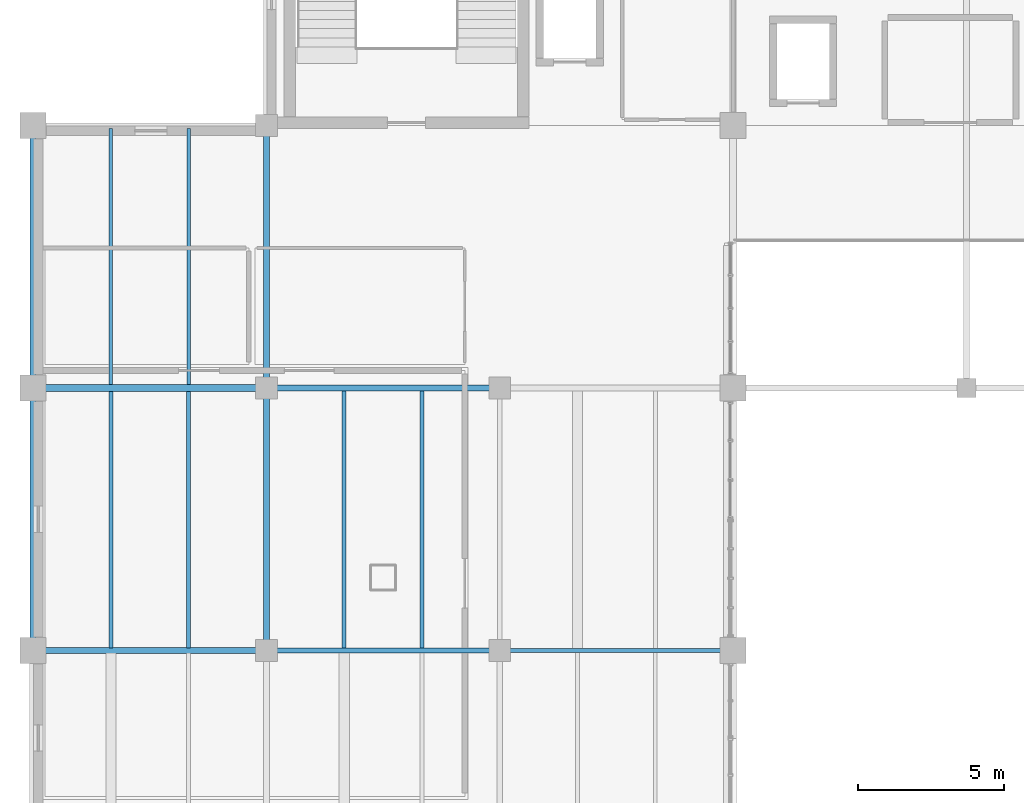
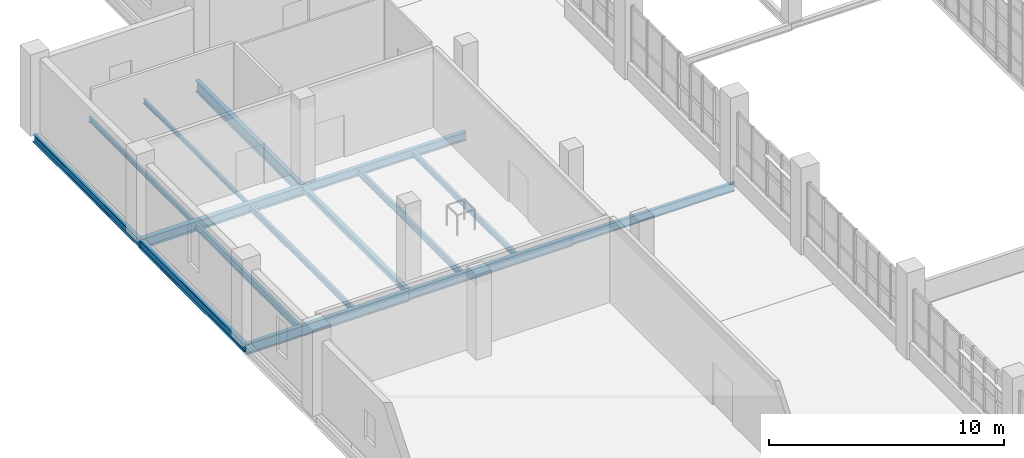
# One storey, part 21 of 85: 15 beams.
"""IFC4 building model written with IfcOpenShell, lengths in metres."""

from ifc_helpers import new_model, si_unit, derived_unit, direction, frame, origin, origin_2d, place, context, subcontext, project, spatial, i_section, extrude, material, material_profile, profile_set, type_object, element, save


model = new_model("IFC4")

# Units and contexts
model_context = context("Model", 3, precision=1e-05, world=origin(), true_north=direction((0.0, 1.0)))
body_context = subcontext(model_context, "Body", "Model", "MODEL_VIEW")
ifc_project = project(units=[si_unit("LENGTHUNIT", "METRE"), si_unit("AREAUNIT", "SQUARE_METRE"), si_unit("VOLUMEUNIT", "CUBIC_METRE"), si_unit("PLANEANGLEUNIT", "RADIAN"), si_unit("MASSUNIT", "GRAM", prefix="KILO"), derived_unit("THERMALTRANSMITTANCEUNIT", [(si_unit("POWERUNIT", "WATT"), 1), (si_unit("LENGTHUNIT", "METRE"), -2), (si_unit("THERMODYNAMICTEMPERATUREUNIT", "KELVIN"), -1)])], contexts=[model_context])

# Site, building, storey
site_placement = place(None, origin())
site = spatial("IfcSite", under=ifc_project, at=site_placement, CompositionType="ELEMENT")
building_placement = place(site_placement, origin())
building = spatial("IfcBuilding", under=site, at=building_placement, Name="Nallur Shell Playhouse", CompositionType="ELEMENT")
storey_placement = place(building_placement, frame((0.0, 0.0, 19.800048828125)))
storey = spatial("IfcBuildingStorey", under=building, at=storey_placement, Name="L05", CompositionType="ELEMENT", Elevation=19.800048828125)

# Beams
ifc_material_1 = material(Name="Steel E250", Category="steel")
ifc_material_profile_1 = material_profile(ifc_material_1, i_section(OverallWidth=0.110107421875, OverallDepth=0.22509765625, WebThickness=0.006591796875, FlangeThickness=0.01171875, FilletRadius=0.011962890625, at=origin_2d()), Name="ISMB 225")
ifc_profile_set_1 = profile_set([ifc_material_profile_1], Name="Steel E250")
beam_type_1 = type_object("IfcBeamType", Name="BM-JST-ISMB225", PredefinedType="JOIST", material=ifc_profile_set_1)
beam_1_placement = place(storey_placement, frame((21.333251953125, 65.123046875, -0.362548828125), z_axis=(0.0, 1.0, 0.0), x_axis=(-1.0, 0.0, 0.0)))
element("IfcBeam", 1, at=beam_1_placement, inside=storey, type_object=beam_type_1, Name="L05 secondary joist 2-H-1061", PredefinedType="JOIST", context=body_context, shape_type="SweptSolid", body=[
    extrude(i_section(OverallWidth=0.110107421875, OverallDepth=0.22509765625, WebThickness=0.006591796875, FlangeThickness=0.01171875, FilletRadius=0.011962890625, at=origin_2d()), origin(), (0.0, 0.0, 1.0), 8.783935546875),
])
ifc_material_profile_2 = material_profile(ifc_material_1, i_section(OverallWidth=0.125, OverallDepth=0.25, WebThickness=0.0068359375, FlangeThickness=0.012451171875, FilletRadius=0.012939453125, at=origin_2d()), Name="ISMB 250")
ifc_profile_set_2 = profile_set([ifc_material_profile_2], Name="Steel E250")
beam_type_2 = type_object("IfcBeamType", Name="BM-JST-ISMB250", PredefinedType="JOIST", material=ifc_profile_set_2)
beam_2_placement = place(storey_placement, frame((18.666748046875, 65.123046875, -0.375), z_axis=(0.0, 1.0, 0.0), x_axis=(-1.0, 0.0, 0.0)))
element("IfcBeam", 2, at=beam_2_placement, inside=storey, type_object=beam_type_2, Name="L05 secondary joist 2-H-1060", PredefinedType="JOIST", context=body_context, shape_type="SweptSolid", body=[
    extrude(i_section(OverallWidth=0.125, OverallDepth=0.25, WebThickness=0.0068359375, FlangeThickness=0.012451171875, FilletRadius=0.012939453125, at=origin_2d()), origin(), (0.0, 0.0, 1.0), 8.783935546875),
])
ifc_material_profile_3 = material_profile(ifc_material_1, i_section(OverallWidth=0.139892578125, OverallDepth=0.300048828125, WebThickness=0.0078125, FlangeThickness=0.01318359375, FilletRadius=0.013916015625, at=origin_2d()), Name="ISMB 300")
ifc_profile_set_3 = profile_set([ifc_material_profile_3], Name="Steel E250")
beam_type_3 = type_object("IfcBeamType", Name="BM-JST-ISMB300", PredefinedType="JOIST", material=ifc_profile_set_3)
beam_3_placement = place(storey_placement, frame((21.333251953125, 56.093017578125, -0.400146484375), z_axis=(0.0, 1.0, 0.0), x_axis=(-1.0, 0.0, 0.0)))
element("IfcBeam", 3, at=beam_3_placement, inside=storey, type_object=beam_type_3, Name="L05 secondary joist 2-G-1059", PredefinedType="JOIST", context=body_context, shape_type="SweptSolid", body=[
    extrude(i_section(OverallWidth=0.139892578125, OverallDepth=0.300048828125, WebThickness=0.0078125, FlangeThickness=0.01318359375, FilletRadius=0.013916015625, at=origin_2d()), origin(), (0.0, 0.0, 1.0), 8.783935546875),
])
beam_4_placement = place(storey_placement, frame((29.333251953125, 56.087890625, -0.400146484375), z_axis=(0.0, 1.0, 0.0), x_axis=(-1.0, 0.0, 0.0)))
element("IfcBeam", 4, at=beam_4_placement, inside=storey, type_object=beam_type_3, Name="L05 secondary joist 3-G-1071", PredefinedType="JOIST", context=body_context, shape_type="SweptSolid", body=[
    extrude(i_section(OverallWidth=0.139892578125, OverallDepth=0.300048828125, WebThickness=0.0078125, FlangeThickness=0.01318359375, FilletRadius=0.013916015625, at=origin_2d()), origin(), (0.0, 0.0, 1.0), 8.814208984375),
])
ifc_material_profile_4 = material_profile(ifc_material_1, i_section(OverallWidth=0.139892578125, OverallDepth=0.35009765625, WebThickness=0.008056640625, FlangeThickness=0.01416015625, FilletRadius=0.013916015625, at=origin_2d()), Name="ISMB 350")
ifc_profile_set_4 = profile_set([ifc_material_profile_4], Name="Steel E250")
beam_type_4 = type_object("IfcBeamType", Name="BM-JST-ISMB350", PredefinedType="JOIST", material=ifc_profile_set_4)
beam_5_placement = place(storey_placement, frame((18.666748046875, 56.093017578125, -0.425048828125), z_axis=(0.0, 1.0, 0.0), x_axis=(-1.0, 0.0, 0.0)))
element("IfcBeam", 5, at=beam_5_placement, inside=storey, type_object=beam_type_4, Name="L05 secondary joist 2-G-1058", PredefinedType="JOIST", context=body_context, shape_type="SweptSolid", body=[
    extrude(i_section(OverallWidth=0.139892578125, OverallDepth=0.35009765625, WebThickness=0.008056640625, FlangeThickness=0.01416015625, FilletRadius=0.013916015625, at=origin_2d()), origin(), (0.0, 0.0, 1.0), 8.783935546875),
])
beam_6_placement = place(storey_placement, frame((26.666748046875, 56.087890625, -0.425048828125), z_axis=(0.0, 1.0, 0.0), x_axis=(-1.0, 0.0, 0.0)))
element("IfcBeam", 6, at=beam_6_placement, inside=storey, type_object=beam_type_4, Name="L05 secondary joist 3-G-1070", PredefinedType="JOIST", context=body_context, shape_type="SweptSolid", body=[
    extrude(i_section(OverallWidth=0.139892578125, OverallDepth=0.35009765625, WebThickness=0.008056640625, FlangeThickness=0.01416015625, FilletRadius=0.013916015625, at=origin_2d()), origin(), (0.0, 0.0, 1.0), 8.814208984375),
])
ifc_material_2 = material(Name="Steel E350", Category="steel")
ifc_material_profile_5 = material_profile(ifc_material_2, i_section(OverallWidth=0.14990234375, OverallDepth=0.449951171875, WebThickness=0.009521484375, FlangeThickness=0.017333984375, FilletRadius=0.014892578125, at=origin_2d()), Name="ISMB 450")
ifc_profile_set_5 = profile_set([ifc_material_profile_5], Name="Steel E350")
beam_type_5 = type_object("IfcBeamType", Name="BM-ST-ISMB450", PredefinedType="BEAM", material=ifc_profile_set_5)
beam_7_placement = place(storey_placement, frame((32.0, 56.0, -0.47509765625), z_axis=(1.0, 0.0, 0.0), x_axis=(0.0, 1.0, 0.0)))
element("IfcBeam", 7, at=beam_7_placement, inside=storey, type_object=beam_type_5, Name="L05 girder X-G-971", PredefinedType="BEAM", context=body_context, shape_type="SweptSolid", body=[
    extrude(i_section(OverallWidth=0.14990234375, OverallDepth=0.449951171875, WebThickness=0.009521484375, FlangeThickness=0.017333984375, FilletRadius=0.014892578125, at=origin_2d()), origin(), (0.0, 0.0, 1.0), 8.0),
])
ifc_material_profile_6 = material_profile(ifc_material_2, i_section(OverallWidth=0.179931640625, OverallDepth=0.5, WebThickness=0.01025390625, FlangeThickness=0.01708984375, FilletRadius=0.01708984375, at=origin_2d()), Name="ISMB 500")
ifc_profile_set_6 = profile_set([ifc_material_profile_6], Name="Steel E350")
beam_type_6 = type_object("IfcBeamType", Name="BM-ST-ISMB500", PredefinedType="BEAM", material=ifc_profile_set_6)
beam_8_placement = place(storey_placement, frame((24.0, 56.0, -0.5), z_axis=(1.0, 0.0, 0.0), x_axis=(0.0, 1.0, 0.0)))
element("IfcBeam", 8, at=beam_8_placement, inside=storey, type_object=beam_type_6, Name="L05 girder X-G-970", PredefinedType="BEAM", context=body_context, shape_type="SweptSolid", body=[
    extrude(i_section(OverallWidth=0.179931640625, OverallDepth=0.5, WebThickness=0.01025390625, FlangeThickness=0.01708984375, FilletRadius=0.01708984375, at=origin_2d()), origin(), (0.0, 0.0, 1.0), 8.0),
])
ifc_material_profile_7 = material_profile(ifc_material_2, i_section(OverallWidth=0.18994140625, OverallDepth=0.550048828125, WebThickness=0.01123046875, FlangeThickness=0.019287109375, FilletRadius=0.01806640625, at=origin_2d()), Name="ISMB 550")
ifc_profile_set_7 = profile_set([ifc_material_profile_7], Name="Steel E350")
beam_type_7 = type_object("IfcBeamType", Name="BM-ST-ISMB550", PredefinedType="BEAM", material=ifc_profile_set_7)
beam_9_placement = place(storey_placement, frame((16.0, 56.0, -0.525146484375), z_axis=(1.0, 0.0, 0.0), x_axis=(0.0, 1.0, 0.0)))
element("IfcBeam", 9, at=beam_9_placement, inside=storey, type_object=beam_type_7, Name="L05 girder X-G-969", PredefinedType="BEAM", context=body_context, shape_type="SweptSolid", body=[
    extrude(i_section(OverallWidth=0.18994140625, OverallDepth=0.550048828125, WebThickness=0.01123046875, FlangeThickness=0.019287109375, FilletRadius=0.01806640625, at=origin_2d()), origin(), (0.0, 0.0, 1.0), 8.0),
])
ifc_material_profile_8 = material_profile(ifc_material_2, i_section(OverallWidth=0.2099609375, OverallDepth=0.60009765625, WebThickness=0.011962890625, FlangeThickness=0.020751953125, FilletRadius=0.02001953125, at=origin_2d()), Name="ISMB 600")
ifc_profile_set_8 = profile_set([ifc_material_profile_8], Name="Steel E350")
beam_type_8 = type_object("IfcBeamType", Name="BM-ST-ISMB600", PredefinedType="BEAM", material=ifc_profile_set_8)
beam_10_placement = place(storey_placement, frame((24.0, 65.0, -0.550048828125), z_axis=(0.0, 1.0, 0.0), x_axis=(-1.0, 0.0, 0.0)))
element("IfcBeam", 10, at=beam_10_placement, inside=storey, type_object=beam_type_8, Name="L05 girder Y-3-1000", PredefinedType="BEAM", context=body_context, shape_type="SweptSolid", body=[
    extrude(i_section(OverallWidth=0.2099609375, OverallDepth=0.60009765625, WebThickness=0.011962890625, FlangeThickness=0.020751953125, FilletRadius=0.02001953125, at=origin_2d()), origin(), (0.0, 0.0, 1.0), 9.0),
])
ifc_material_profile_9 = material_profile(ifc_material_1, i_section(OverallWidth=0.199951171875, OverallDepth=0.300048828125, WebThickness=0.00732421875, FlangeThickness=0.010009765625, FilletRadius=0.010986328125, at=origin_2d()), Name="ISWB 300")
ifc_profile_set_9 = profile_set([ifc_material_profile_9], Name="Steel E250")
beam_type_9 = type_object("IfcBeamType", Name="BM-ST-ISWB300", PredefinedType="BEAM", material=ifc_profile_set_9)
beam_11_placement = place(storey_placement, frame((24.0, 56.0, -0.400146484375), z_axis=(0.0, 1.0, 0.0), x_axis=(-1.0, 0.0, 0.0)))
element("IfcBeam", 11, at=beam_11_placement, inside=storey, type_object=beam_type_9, Name="L05 girder Y-3-999", PredefinedType="BEAM", context=body_context, shape_type="SweptSolid", body=[
    extrude(i_section(OverallWidth=0.199951171875, OverallDepth=0.300048828125, WebThickness=0.00732421875, FlangeThickness=0.010009765625, FilletRadius=0.010986328125, at=origin_2d()), origin(), (0.0, 0.0, 1.0), 9.0),
])
ifc_material_profile_10 = material_profile(ifc_material_2, i_section(OverallWidth=0.199951171875, OverallDepth=0.39990234375, WebThickness=0.008544921875, FlangeThickness=0.012939453125, FilletRadius=0.012939453125, at=origin_2d()), Name="ISWB 400")
ifc_profile_set_10 = profile_set([ifc_material_profile_10], Name="Steel E350")
beam_type_10 = type_object("IfcBeamType", Name="BM-ST-ISWB400", PredefinedType="BEAM", material=ifc_profile_set_10)
beam_12_placement = place(storey_placement, frame((16.0, 65.0, -0.449951171875), z_axis=(0.0, 1.0, 0.0), x_axis=(-1.0, 0.0, 0.0)))
element("IfcBeam", 12, at=beam_12_placement, inside=storey, type_object=beam_type_10, Name="L05 girder Y-2-997", PredefinedType="BEAM", context=body_context, shape_type="SweptSolid", body=[
    extrude(i_section(OverallWidth=0.199951171875, OverallDepth=0.39990234375, WebThickness=0.008544921875, FlangeThickness=0.012939453125, FilletRadius=0.012939453125, at=origin_2d()), origin(), (0.0, 0.0, 1.0), 9.0),
])
ifc_material_profile_11 = material_profile(ifc_material_2, i_section(OverallWidth=0.199951171875, OverallDepth=0.449951171875, WebThickness=0.00927734375, FlangeThickness=0.015380859375, FilletRadius=0.013916015625, at=origin_2d()), Name="ISWB 450")
ifc_profile_set_11 = profile_set([ifc_material_profile_11], Name="Steel E350")
beam_type_11 = type_object("IfcBeamType", Name="BM-ST-ISWB450", PredefinedType="BEAM", material=ifc_profile_set_11)
beam_13_placement = place(storey_placement, frame((24.0, 65.0, -0.47509765625), z_axis=(1.0, 0.0, 0.0), x_axis=(0.0, 1.0, 0.0)))
element("IfcBeam", 13, at=beam_13_placement, inside=storey, type_object=beam_type_11, Name="L05 girder X-H-980", PredefinedType="BEAM", context=body_context, shape_type="SweptSolid", body=[
    extrude(i_section(OverallWidth=0.199951171875, OverallDepth=0.449951171875, WebThickness=0.00927734375, FlangeThickness=0.015380859375, FilletRadius=0.013916015625, at=origin_2d()), origin(), (0.0, 0.0, 1.0), 8.0),
])
beam_14_placement = place(storey_placement, frame((16.0, 56.0, -0.47509765625), z_axis=(0.0, 1.0, 0.0), x_axis=(-1.0, 0.0, 0.0)))
element("IfcBeam", 14, at=beam_14_placement, inside=storey, type_object=beam_type_11, Name="L05 girder Y-2-996", PredefinedType="BEAM", context=body_context, shape_type="SweptSolid", body=[
    extrude(i_section(OverallWidth=0.199951171875, OverallDepth=0.449951171875, WebThickness=0.00927734375, FlangeThickness=0.015380859375, FilletRadius=0.013916015625, at=origin_2d()), origin(), (0.0, 0.0, 1.0), 9.0),
])
ifc_material_profile_12 = material_profile(ifc_material_2, i_section(OverallWidth=0.25, OverallDepth=0.5, WebThickness=0.010009765625, FlangeThickness=0.0146484375, FilletRadius=0.014892578125, at=origin_2d()), Name="ISWB 500")
ifc_profile_set_12 = profile_set([ifc_material_profile_12], Name="Steel E350")
beam_type_12 = type_object("IfcBeamType", Name="BM-ST-ISWB500", PredefinedType="BEAM", material=ifc_profile_set_12)
beam_15_placement = place(storey_placement, frame((16.0, 65.0, -0.5), z_axis=(1.0, 0.0, 0.0), x_axis=(0.0, 1.0, 0.0)))
element("IfcBeam", 15, at=beam_15_placement, inside=storey, type_object=beam_type_12, Name="L05 girder X-H-979", PredefinedType="BEAM", context=body_context, shape_type="SweptSolid", body=[
    extrude(i_section(OverallWidth=0.25, OverallDepth=0.5, WebThickness=0.010009765625, FlangeThickness=0.0146484375, FilletRadius=0.014892578125, at=origin_2d()), origin(), (0.0, 0.0, 1.0), 8.0),
])

save(model, "model.ifc")
